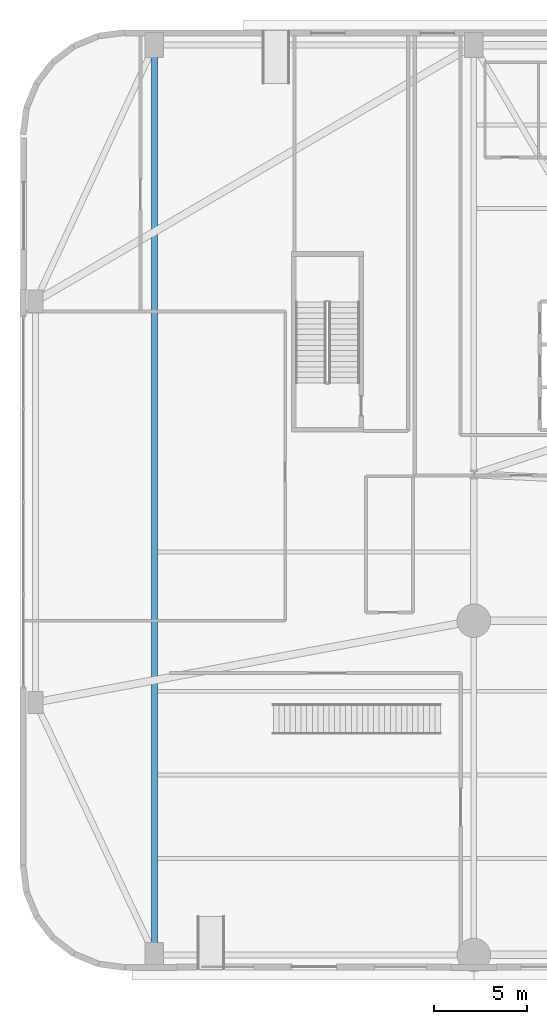
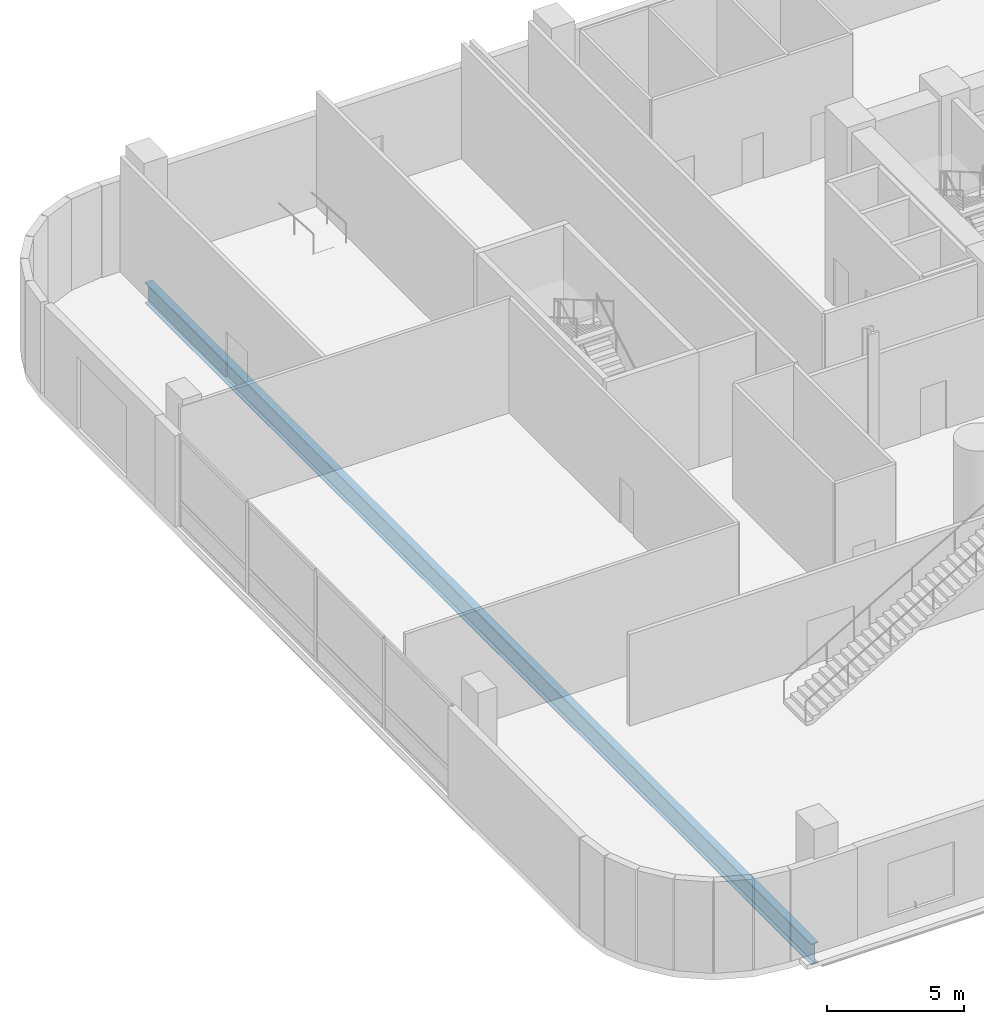
# One storey, part 7 of 26: 1 beam.
"""IFC4 building model written with IfcOpenShell, lengths in metres."""

import ifcopenshell
import ifcopenshell.guid

model = None  # the IFC model being written
_history = None  # IfcOwnerHistory: only IFC2X3 demands one
_inside = {}  # id of a spatial element -> (the spatial element, [elements in it])
_under = {}  # id of a project, library or spatial element -> (it, [spatial elements below it])
_declared = {}  # id of a project -> (the project, [libraries it declares])
_typed = {}  # id of a type object -> (the type object, [elements of that type])
_made_of = {}  # id of a material, layer set ... -> (it, [elements and type objects made of it])


def new_model(schema):
    """Start an empty IFC model of exactly this schema.

    Asked for "IFC4X3", IfcOpenShell would pick the latest addendum, in which some entities
    have other attributes; the version numbers below select the first issue.
    IFC2X3 requires an IfcOwnerHistory on every rooted entity: one is made here for all.
    """
    global model, _history
    if schema == "IFC4X3":
        model = ifcopenshell.file(schema_version=(4, 3, 0, 0))
    else:
        model = ifcopenshell.file(schema=schema)
    _inside.clear()
    _under.clear()
    _declared.clear()
    _typed.clear()
    _made_of.clear()
    _history = None
    if model.schema == "IFC2X3":
        org = make("IfcOrganization", Name="unknown")
        user = make(
            "IfcPersonAndOrganization",
            ThePerson=make("IfcPerson", FamilyName="unknown"),
            TheOrganization=org,
        )
        app = make(
            "IfcApplication",
            ApplicationDeveloper=org,
            Version="unknown",
            ApplicationFullName="unknown",
            ApplicationIdentifier="unknown",
        )
        _history = make(
            "IfcOwnerHistory",
            OwningUser=user,
            OwningApplication=app,
            ChangeAction="ADDED",
            CreationDate=0,
        )
    return model


def make(cls, **values):
    """One entity of the class cls with the attributes given. An attribute that is None is left unset."""
    return model.create_entity(
        cls, **{name: value for name, value in values.items() if value is not None}
    )


def rooted(cls, **values):
    """An entity with a GlobalId (a new one), such as an element, a storey or a relation."""
    return make(cls, GlobalId=ifcopenshell.guid.new(), OwnerHistory=_history, **values)


def si_unit(unit_type, name, prefix=None):
    """IfcSIUnit, for example si_unit("LENGTHUNIT", "METRE", prefix="MILLI")."""
    return make("IfcSIUnit", UnitType=unit_type, Prefix=prefix, Name=name)


def assignment(units):
    """IfcUnitAssignment: the units of a project."""
    return None if units is None else make("IfcUnitAssignment", Units=units)


def point(xyz):
    """IfcCartesianPoint."""
    return None if xyz is None else make("IfcCartesianPoint", Coordinates=xyz)


def direction(xyz):
    """IfcDirection."""
    return None if xyz is None else make("IfcDirection", DirectionRatios=xyz)


def frame(location, z_axis=None, x_axis=None):
    """IfcAxis2Placement3D, a coordinate frame: its origin and axes. An axis left out is left unset."""
    return make(
        "IfcAxis2Placement3D",
        Location=point(location),
        Axis=direction(z_axis),
        RefDirection=direction(x_axis),
    )


def frame_2d(location, x_axis=None):
    """IfcAxis2Placement2D, a coordinate frame in the plane: its origin and x axis."""
    return make(
        "IfcAxis2Placement2D", Location=point(location), RefDirection=direction(x_axis)
    )


def origin():
    """The frame at (0, 0, 0) with its axes left unset."""
    return frame((0.0, 0.0, 0.0))


def origin_2d():
    """The frame at (0, 0) in the plane with its x axis left unset."""
    return frame_2d((0.0, 0.0))


def place(relative_to, where):
    """IfcLocalPlacement: puts the frame where relative to a parent placement (None: the world)."""
    return make(
        "IfcLocalPlacement", PlacementRelTo=relative_to, RelativePlacement=where
    )


def context(
    kind, dimensions, precision=None, world=None, true_north=None, identifier=None
):
    """IfcGeometricRepresentationContext, for example the 3D "Model" context."""
    return make(
        "IfcGeometricRepresentationContext",
        ContextIdentifier=identifier,
        ContextType=kind,
        CoordinateSpaceDimension=dimensions,
        Precision=precision,
        WorldCoordinateSystem=world,
        TrueNorth=true_north,
    )


def subcontext(parent, identifier, kind, view, scale=None):
    """IfcGeometricRepresentationSubContext, for example "Body" below "Model"."""
    return make(
        "IfcGeometricRepresentationSubContext",
        ContextIdentifier=identifier,
        ContextType=kind,
        ParentContext=parent,
        TargetScale=scale,
        TargetView=view,
    )


def project(units=None, contexts=None):
    """IfcProject with its units and contexts."""
    return rooted(
        "IfcProject",
        Name="project",
        RepresentationContexts=contexts,
        UnitsInContext=assignment(units),
    )


def spatial(cls, under=None, at=None, **own):
    """A site, building, storey or space (cls), placed at a placement, below another one or the project."""
    s = rooted(cls, ObjectPlacement=at, **own)
    if under is not None:
        _under.setdefault(under.id(), (under, []))[1].append(s)
    return s


def profile(cls, at=None, kind="AREA", **sizes):
    """A parametric profile (cls). Its sizes go by their IFC names, for example OverallWidth=200.0."""
    return make(cls, ProfileType=kind, Position=at, **sizes)


def i_section(**sizes):
    """IfcIShapeProfileDef."""
    return profile("IfcIShapeProfileDef", **sizes)


def extrude(swept, where, along, depth):
    """IfcExtrudedAreaSolid: the profile swept, set in the frame where, extruded along a direction by depth."""
    return make(
        "IfcExtrudedAreaSolid",
        SweptArea=swept,
        Position=where,
        ExtrudedDirection=direction(along),
        Depth=depth,
    )


def shape(context_of_items, identifier, shape_type, items):
    """IfcShapeRepresentation: the items that make up one representation, for example the "Body"."""
    return make(
        "IfcShapeRepresentation",
        ContextOfItems=context_of_items,
        RepresentationIdentifier=identifier,
        RepresentationType=shape_type,
        Items=items,
    )


def material(Name=None, Category=None):
    """IfcMaterial."""
    return make("IfcMaterial", Name=Name, Category=Category)


def material_profile(
    of_material, cross_section, Name=None, Category=None, Priority=None
):
    """IfcMaterialProfile: a cross section and its material."""
    return make(
        "IfcMaterialProfile",
        Name=Name,
        Material=of_material,
        Profile=cross_section,
        Priority=Priority,
        Category=Category,
    )


def profile_set(profiles, Name=None, composite=None):
    """IfcMaterialProfileSet."""
    return make(
        "IfcMaterialProfileSet",
        Name=Name,
        MaterialProfiles=profiles,
        CompositeProfile=composite,
    )


def made_of(thing, what):
    """Note that an element or type object is made of a material, layer set ...; save() writes the relation."""
    if what is not None:
        _made_of.setdefault(what.id(), (what, []))[1].append(thing)
    return thing


def type_object(cls, material=None, **own):
    """A type object (cls), such as IfcWallType, which elements share."""
    return made_of(rooted(cls, **own), material)


def element(
    cls,
    number,
    at=None,
    inside=None,
    cuts=None,
    type_object=None,
    material=None,
    context=None,
    identifier="Body",
    shape_type=None,
    held_by="IfcProductDefinitionShape",
    body=None,
    shapes=None,
    **own,
):
    """One element of the class cls, such as IfcWall. Its Tag is "e" and its number.

    at: its placement. inside: the storey or other place that contains it. cuts: it is an
    opening in that element (IfcRelVoidsElement). A single representation is given by context,
    identifier, shape_type and body (its items); several are given by shapes. held_by: the class
    of the entity that holds the representations. save() writes the other relations.
    """
    e = rooted(cls, Tag="e%d" % number, ObjectPlacement=at, **own)
    if body is not None:
        shapes = [shape(context, identifier, shape_type, body)]
    if shapes is not None:
        e.Representation = make(held_by, Representations=shapes)
    if inside is not None:
        _inside.setdefault(inside.id(), (inside, []))[1].append(e)
    if cuts is not None:
        rooted(
            "IfcRelVoidsElement", RelatingBuildingElement=cuts, RelatedOpeningElement=e
        )
    if type_object is not None:
        _typed.setdefault(type_object.id(), (type_object, []))[1].append(e)
    return made_of(e, material)


def aggregate(whole, parts):
    """IfcRelAggregates: a whole, such as a stair, and the parts it consists of."""
    return rooted("IfcRelAggregates", RelatingObject=whole, RelatedObjects=parts)


def save(model, path):
    """Write the relations noted so far, then the file.

    IfcRelAggregates (storeys below a building ...), IfcRelContainedInSpatialStructure (elements
    in a storey), IfcRelDefinesByType, IfcRelAssociatesMaterial and IfcRelDeclares: one each for
    every whole, place, type object, material and project.
    """
    for whole, parts in _under.values():
        aggregate(whole, parts)
    for where, things in _inside.values():
        rooted(
            "IfcRelContainedInSpatialStructure",
            RelatedElements=things,
            RelatingStructure=where,
        )
    for kind, things in _typed.values():
        rooted("IfcRelDefinesByType", RelatedObjects=things, RelatingType=kind)
    for what, things in _made_of.values():
        rooted("IfcRelAssociatesMaterial", RelatedObjects=things, RelatingMaterial=what)
    for by, libraries in _declared.values():
        rooted("IfcRelDeclares", RelatingContext=by, RelatedDefinitions=libraries)
    model.write(path)


model = new_model("IFC4")

# Units and contexts
model_context = context("Model", 3, precision=1e-05, world=origin(), true_north=direction((0.0, 1.0)))
body_context = subcontext(model_context, "Body", "Model", "MODEL_VIEW")
ifc_project = project(units=[si_unit("LENGTHUNIT", "METRE"), si_unit("AREAUNIT", "SQUARE_METRE"), si_unit("VOLUMEUNIT", "CUBIC_METRE"), si_unit("PLANEANGLEUNIT", "RADIAN"), si_unit("MASSUNIT", "GRAM", prefix="KILO")], contexts=[model_context])

# Site, building, storey
site_placement = place(None, origin())
site = spatial("IfcSite", under=ifc_project, at=site_placement, CompositionType="ELEMENT")
building_placement = place(site_placement, origin())
building = spatial("IfcBuilding", under=site, at=building_placement, Name="Varnelok Gate Tower", CompositionType="ELEMENT")
storey_placement = place(building_placement, origin())
storey = spatial("IfcBuildingStorey", under=building, at=storey_placement, Name="L00", CompositionType="ELEMENT", Elevation=0.0)

# Beam
ifc_material = material(Name="Structural Steel ASTM A992 Grade 50", Category="steel")
ifc_material_profile = material_profile(ifc_material, i_section(OverallWidth=0.30810546875, OverallDepth=0.943115234375, WebThickness=0.022216796875, FlangeThickness=0.039794921875, FilletRadius=0.02587890625, at=origin_2d()), Name="W36X232")
ifc_profile_set = profile_set([ifc_material_profile], Name="Structural Steel ASTM A992 Grade 50")
beam_type = type_object("IfcBeamType", Name="BM-PRI-W36X232", PredefinedType="BEAM", material=ifc_profile_set)
beam_placement = place(storey_placement, frame((7.199951171875, 0.93994140625, -0.79150390625), z_axis=(0.0, 1.0, 0.0), x_axis=(-1.0, 0.0, 0.0)))
element("IfcBeam", 1, at=beam_placement, inside=storey, type_object=beam_type, Name="L00 Podium Primary Girder 14", PredefinedType="BEAM", context=body_context, shape_type="SweptSolid", body=[
    extrude(i_section(OverallWidth=0.30810546875, OverallDepth=0.943115234375, WebThickness=0.022216796875, FlangeThickness=0.039794921875, FilletRadius=0.02587890625, at=origin_2d()), origin(), (0.0, 0.0, 1.0), 48.719970703125),
])

save(model, "model.ifc")
